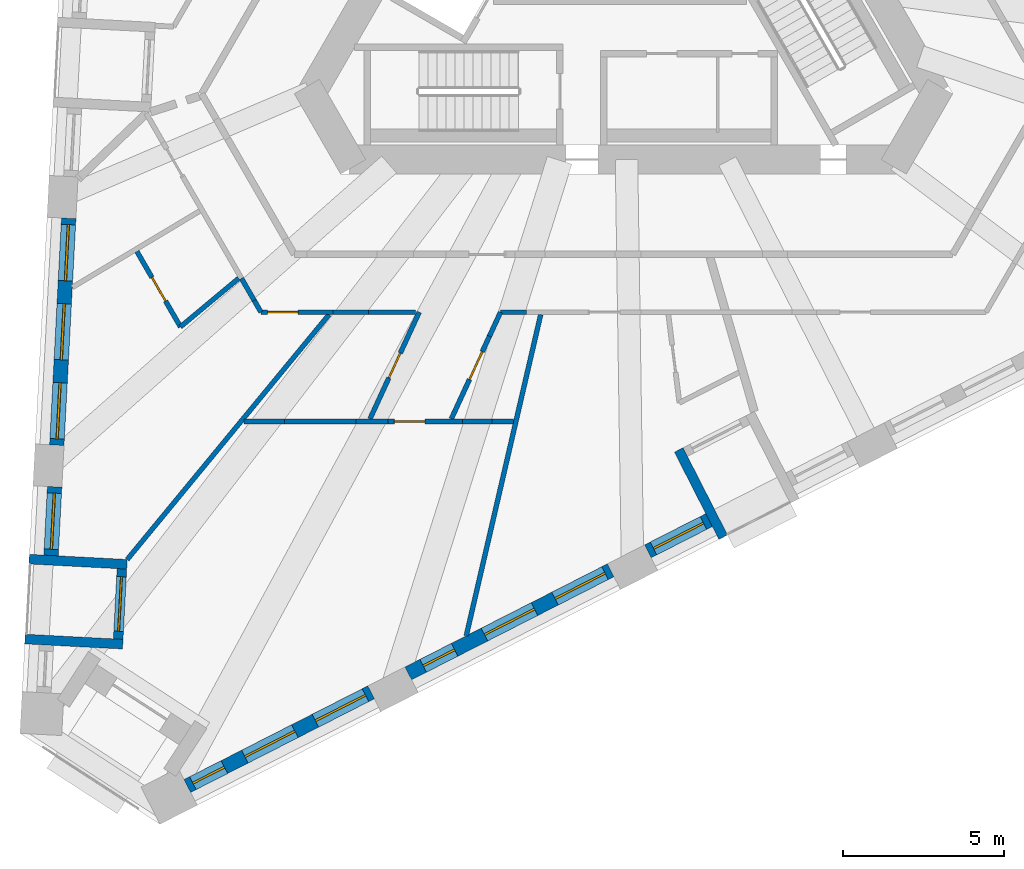
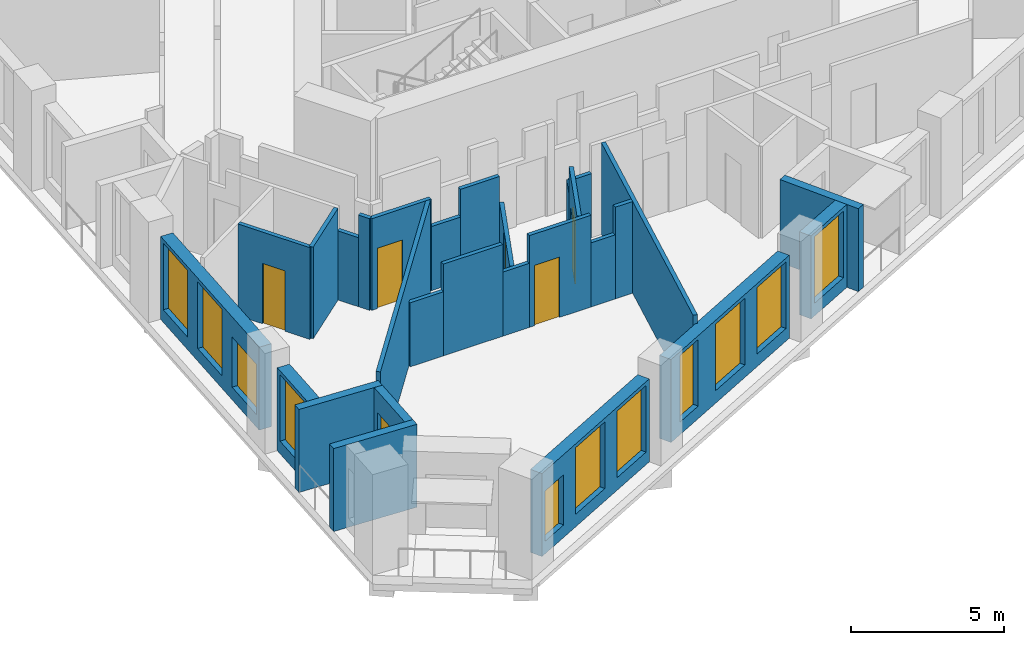
# One storey, part 2 of 13: 28 walls, 11 windows, 6 doors, 17 openings.
"""IFC4 building model written with IfcOpenShell, lengths in metres."""

from ifc_helpers import new_model, si_unit, direction, frame, frame_2d, origin, place, context, subcontext, project, spatial, rectangle, extrude, material, layer, layer_set, type_object, element, fill, save


model = new_model("IFC4")

# Units and contexts
model_context = context("Model", 3, precision=1e-05, world=origin(), true_north=direction((0.0, 1.0)))
body_context = subcontext(model_context, "Body", "Model", "MODEL_VIEW")
ifc_project = project(units=[si_unit("LENGTHUNIT", "METRE"), si_unit("AREAUNIT", "SQUARE_METRE"), si_unit("VOLUMEUNIT", "CUBIC_METRE"), si_unit("PLANEANGLEUNIT", "RADIAN"), si_unit("MASSUNIT", "GRAM", prefix="KILO")], contexts=[model_context])

# Site, building, storey
site_placement = place(None, origin())
site = spatial("IfcSite", under=ifc_project, at=site_placement, CompositionType="ELEMENT")
building_placement = place(site_placement, origin())
building = spatial("IfcBuilding", under=site, at=building_placement, Name="Tramontana Tower", CompositionType="ELEMENT")
storey_placement = place(building_placement, frame((0.0, 0.0, 141.60009765625)))
storey = spatial("IfcBuildingStorey", under=building, at=storey_placement, Name="L32", CompositionType="ELEMENT", Elevation=141.60009765625)

# Wall, openings, windows
ifc_material_1 = material(Name="Precast concrete 60 MPa", Category="concrete")
ifc_layer_1 = layer(ifc_material_1, 0.449951171875)
ifc_layer_set_1 = layer_set([ifc_layer_1], Name="Precast concrete 60 MPa, 450 mm")
wall_type_1 = type_object("IfcWallType", Name="EW1 Stone-faced precast wall 450", PredefinedType="SOLIDWALL", material=ifc_layer_set_1)
wall_1_placement = place(storey_placement, frame((-17.274169921875, -8.128662109375, 0.0), z_axis=(0.0, 0.0, 1.0), x_axis=(-0.052339570873, -0.998629345313, 0.0)))
wall_1 = element("IfcWall", 1, at=wall_1_placement, inside=storey, type_object=wall_type_1, Name="External wall L32 face 0 bay 5", PredefinedType="SOLIDWALL", context=body_context, shape_type="SweptSolid", body=[
    extrude(rectangle(XDim=7.071533203125, YDim=0.449951171875, at=frame_2d((3.53564453125, 0.0))), origin(), (0.0, 0.0, 1.0), 3.2998046875),
])
opening_1_placement = place(wall_1_placement, frame((0.1953125, 0.0, 0.5)))
opening_1 = element("IfcOpeningElement", 2, at=opening_1_placement, cuts=wall_1, Name="Opening M2", PredefinedType="OPENING", context=body_context, shape_type="SweptSolid", body=[
    extrude(rectangle(XDim=1.75, YDim=2.64990234375, at=frame_2d((0.875, 1.324951171875))), frame((0.0, 0.23486328125, 0.0), z_axis=(0.0, -1.0, 0.0), x_axis=(1.0, 0.0, 0.0)), (0.0, 0.0, 1.0), 0.469970703125),
])
opening_2_placement = place(wall_1_placement, frame((2.660888671875, 0.0, 0.5)))
opening_2 = element("IfcOpeningElement", 3, at=opening_2_placement, cuts=wall_1, Name="Opening M2", PredefinedType="OPENING", context=body_context, shape_type="SweptSolid", body=[
    extrude(rectangle(XDim=1.75, YDim=2.64990234375, at=frame_2d((0.875, 1.324951171875))), frame((0.0, 0.23486328125, 0.0), z_axis=(0.0, -1.0, 0.0), x_axis=(1.0, 0.0, 0.0)), (0.0, 0.0, 1.0), 0.469970703125),
])
opening_3_placement = place(wall_1_placement, frame((5.126220703125, 0.0, 0.5)))
opening_3 = element("IfcOpeningElement", 4, at=opening_3_placement, cuts=wall_1, Name="Opening M2L", PredefinedType="OPENING", context=body_context, shape_type="SweptSolid", body=[
    extrude(rectangle(XDim=1.75, YDim=2.0, at=frame_2d((0.875, 1.0))), frame((0.0, 0.23486328125, 0.0), z_axis=(0.0, -1.0, 0.0), x_axis=(1.0, 0.0, 0.0)), (0.0, 0.0, 1.0), 0.469970703125),
])
ifc_material_2 = material(Name="Aluminum frame, double glazing unit", Category="aluminium")
window_type_1 = type_object("IfcWindowType", Name="M2 Window 1.75 x 2.65", PartitioningType="SINGLE_PANEL", PredefinedType="WINDOW", material=ifc_material_2)
window_1_placement = place(opening_1_placement, origin())
window_1 = element("IfcWindow", 5, at=window_1_placement, inside=storey, type_object=window_type_1, Name="Window M2 L32 face 0 module 13", OverallHeight=2.64990234375, OverallWidth=1.75, PartitioningType="SINGLE_PANEL", PredefinedType="WINDOW", context=body_context, shape_type="SweptSolid", body=[
    extrude(rectangle(XDim=1.75, YDim=2.64990234375, at=frame_2d((0.875, 1.324951171875))), frame((0.0, 0.030029296875, 0.0), z_axis=(0.0, -1.0, 0.0), x_axis=(1.0, 0.0, 0.0)), (0.0, 0.0, 1.0), 0.06005859375),
])
fill(opening_1, window_1)
window_2_placement = place(opening_2_placement, origin())
window_2 = element("IfcWindow", 6, at=window_2_placement, inside=storey, type_object=window_type_1, Name="Window M2 L32 face 0 module 14", OverallHeight=2.64990234375, OverallWidth=1.75, PartitioningType="SINGLE_PANEL", PredefinedType="WINDOW", context=body_context, shape_type="SweptSolid", body=[
    extrude(rectangle(XDim=1.75, YDim=2.64990234375, at=frame_2d((0.875, 1.324951171875))), frame((0.0, 0.030029296875, 0.0), z_axis=(0.0, -1.0, 0.0), x_axis=(1.0, 0.0, 0.0)), (0.0, 0.0, 1.0), 0.06005859375),
])
fill(opening_2, window_2)
ifc_material_3 = material(Name="Aluminum frame, double glazing unit", Category="aluminium")
window_type_2 = type_object("IfcWindowType", Name="M2L Window 1.75 x 2", PartitioningType="SINGLE_PANEL", PredefinedType="WINDOW", material=ifc_material_3)
window_3_placement = place(opening_3_placement, origin())
window_3 = element("IfcWindow", 7, at=window_3_placement, inside=storey, type_object=window_type_2, Name="Window M2L L32 face 0 module 15", OverallHeight=2.0, OverallWidth=1.75, PartitioningType="SINGLE_PANEL", PredefinedType="WINDOW", context=body_context, shape_type="SweptSolid", body=[
    extrude(rectangle(XDim=1.75, YDim=2.0, at=frame_2d((0.875, 1.0))), frame((0.0, 0.030029296875, 0.0), z_axis=(0.0, -1.0, 0.0), x_axis=(1.0, 0.0, 0.0)), (0.0, 0.0, 1.0), 0.06005859375),
])
fill(opening_3, window_3)

# Wall, opening, window
wall_2_placement = place(storey_placement, frame((-17.712158203125, -16.48876953125, 0.0), z_axis=(0.0, 0.0, 1.0), x_axis=(-0.05234931875, -0.998628834366, 0.0)))
wall_2 = element("IfcWall", 8, at=wall_2_placement, inside=storey, type_object=wall_type_1, Name="External wall L32 face 0 bay 6", PredefinedType="SOLIDWALL", context=body_context, shape_type="SweptSolid", body=[
    extrude(rectangle(XDim=2.140625, YDim=0.449951171875, at=frame_2d((1.0703125, 0.0))), origin(), (0.0, 0.0, 1.0), 3.2998046875),
])
opening_4_placement = place(wall_2_placement, frame((0.1953125, 0.0, 0.5)))
opening_4 = element("IfcOpeningElement", 9, at=opening_4_placement, cuts=wall_2, Name="Opening M2", PredefinedType="OPENING", context=body_context, shape_type="SweptSolid", body=[
    extrude(rectangle(XDim=1.75, YDim=2.64990234375, at=frame_2d((0.875, 1.324951171875))), frame((0.0, 0.23486328125, 0.0), z_axis=(0.0, -1.0, 0.0), x_axis=(1.0, 0.0, 0.0)), (0.0, 0.0, 1.0), 0.469970703125),
])
window_4_placement = place(opening_4_placement, origin())
window_4 = element("IfcWindow", 10, at=window_4_placement, inside=storey, type_object=window_type_1, Name="Window M2 L32 face 0 module 16", OverallHeight=2.64990234375, OverallWidth=1.75, PartitioningType="SINGLE_PANEL", PredefinedType="WINDOW", context=body_context, shape_type="SweptSolid", body=[
    extrude(rectangle(XDim=1.75, YDim=2.64990234375, at=frame_2d((0.875, 1.324951171875))), frame((0.0, 0.030029296875, 0.0), z_axis=(0.0, -1.0, 0.0), x_axis=(1.0, 0.0, 0.0)), (0.0, 0.0, 1.0), 0.06005859375),
])
fill(opening_4, window_4)

# Wall, openings, windows
wall_3_placement = place(storey_placement, frame((-13.580810546875, -25.802734375, 0.0), z_axis=(0.0, 0.0, 1.0), x_axis=(0.891010191031, 0.453983303085, 0.0)))
wall_3 = element("IfcWall", 11, at=wall_3_placement, inside=storey, type_object=wall_type_1, Name="External wall L32 face 1 bay 1", PredefinedType="SOLIDWALL", context=body_context, shape_type="SweptSolid", body=[
    extrude(rectangle(XDim=6.421630859375, YDim=0.449951171875, at=frame_2d((3.2109375, 0.0))), origin(), (0.0, 0.0, 1.0), 3.2998046875),
])
opening_5_placement = place(wall_3_placement, frame((0.1953125, 0.0, 0.5)))
opening_5 = element("IfcOpeningElement", 12, at=opening_5_placement, cuts=wall_3, Name="Opening N2L", PredefinedType="OPENING", context=body_context, shape_type="SweptSolid", body=[
    extrude(rectangle(XDim=1.10009765625, YDim=2.0, at=frame_2d((0.550048828125, 1.0))), frame((0.0, 0.23486328125, 0.0), z_axis=(0.0, -1.0, 0.0), x_axis=(1.0, 0.0, 0.0)), (0.0, 0.0, 1.0), 0.469970703125),
])
opening_6_placement = place(wall_3_placement, frame((2.0107421875, 0.0, 0.5)))
opening_6 = element("IfcOpeningElement", 13, at=opening_6_placement, cuts=wall_3, Name="Opening M2", PredefinedType="OPENING", context=body_context, shape_type="SweptSolid", body=[
    extrude(rectangle(XDim=1.75, YDim=2.64990234375, at=frame_2d((0.875, 1.324951171875))), frame((0.0, 0.23486328125, 0.0), z_axis=(0.0, -1.0, 0.0), x_axis=(1.0, 0.0, 0.0)), (0.0, 0.0, 1.0), 0.469970703125),
])
opening_7_placement = place(wall_3_placement, frame((4.476318359375, 0.0, 0.5)))
opening_7 = element("IfcOpeningElement", 14, at=opening_7_placement, cuts=wall_3, Name="Opening M2", PredefinedType="OPENING", context=body_context, shape_type="SweptSolid", body=[
    extrude(rectangle(XDim=1.75, YDim=2.64990234375, at=frame_2d((0.875, 1.324951171875))), frame((0.0, 0.23486328125, 0.0), z_axis=(0.0, -1.0, 0.0), x_axis=(1.0, 0.0, 0.0)), (0.0, 0.0, 1.0), 0.469970703125),
])
window_5_placement = place(opening_6_placement, origin())
window_5 = element("IfcWindow", 15, at=window_5_placement, inside=storey, type_object=window_type_1, Name="Window M2 L32 face 1 module 2", OverallHeight=2.64990234375, OverallWidth=1.75, PartitioningType="SINGLE_PANEL", PredefinedType="WINDOW", context=body_context, shape_type="SweptSolid", body=[
    extrude(rectangle(XDim=1.75, YDim=2.64990234375, at=frame_2d((0.875, 1.324951171875))), frame((0.0, 0.030029296875, 0.0), z_axis=(0.0, -1.0, 0.0), x_axis=(1.0, 0.0, 0.0)), (0.0, 0.0, 1.0), 0.06005859375),
])
fill(opening_6, window_5)
window_6_placement = place(opening_7_placement, origin())
window_6 = element("IfcWindow", 16, at=window_6_placement, inside=storey, type_object=window_type_1, Name="Window M2 L32 face 1 module 3", OverallHeight=2.64990234375, OverallWidth=1.75, PartitioningType="SINGLE_PANEL", PredefinedType="WINDOW", context=body_context, shape_type="SweptSolid", body=[
    extrude(rectangle(XDim=1.75, YDim=2.64990234375, at=frame_2d((0.875, 1.324951171875))), frame((0.0, 0.030029296875, 0.0), z_axis=(0.0, -1.0, 0.0), x_axis=(1.0, 0.0, 0.0)), (0.0, 0.0, 1.0), 0.06005859375),
])
fill(opening_7, window_6)
ifc_material_4 = material(Name="Aluminum frame, double glazing unit", Category="aluminium")
window_type_3 = type_object("IfcWindowType", Name="N2L Window 1.1 x 2", PartitioningType="SINGLE_PANEL", PredefinedType="WINDOW", material=ifc_material_4)
window_7_placement = place(opening_5_placement, origin())
window_7 = element("IfcWindow", 17, at=window_7_placement, inside=storey, type_object=window_type_3, Name="Window N2L L32 face 1 module 1", OverallHeight=2.0, OverallWidth=1.10009765625, PartitioningType="SINGLE_PANEL", PredefinedType="WINDOW", context=body_context, shape_type="SweptSolid", body=[
    extrude(rectangle(XDim=1.10009765625, YDim=2.0, at=frame_2d((0.550048828125, 1.0))), frame((0.0, 0.030029296875, 0.0), z_axis=(0.0, -1.0, 0.0), x_axis=(1.0, 0.0, 0.0)), (0.0, 0.0, 1.0), 0.06005859375),
])
fill(opening_5, window_7)

wall_4_placement = place(storey_placement, frame((-6.70068359375, -22.29736328125, 0.0), z_axis=(0.0, 0.0, 1.0), x_axis=(0.891004189171, 0.45399508244, 0.0)))
wall_4 = element("IfcWall", 18, at=wall_4_placement, inside=storey, type_object=wall_type_1, Name="External wall L32 face 1 bay 2", PredefinedType="SOLIDWALL", context=body_context, shape_type="SweptSolid", body=[
    extrude(rectangle(XDim=7.071533203125, YDim=0.449951171875, at=frame_2d((3.53564453125, 0.0))), origin(), (0.0, 0.0, 1.0), 3.2998046875),
])
opening_8_placement = place(wall_4_placement, frame((0.520263671875, 0.0, 0.5)))
opening_8 = element("IfcOpeningElement", 19, at=opening_8_placement, cuts=wall_4, Name="Opening N2", PredefinedType="OPENING", context=body_context, shape_type="SweptSolid", body=[
    extrude(rectangle(XDim=1.10009765625, YDim=2.64990234375, at=frame_2d((0.550048828125, 1.324951171875))), frame((0.0, 0.23486328125, 0.0), z_axis=(0.0, -1.0, 0.0), x_axis=(1.0, 0.0, 0.0)), (0.0, 0.0, 1.0), 0.469970703125),
])
opening_9_placement = place(wall_4_placement, frame((2.660888671875, 0.0, 0.5)))
opening_9 = element("IfcOpeningElement", 20, at=opening_9_placement, cuts=wall_4, Name="Opening M2", PredefinedType="OPENING", context=body_context, shape_type="SweptSolid", body=[
    extrude(rectangle(XDim=1.75, YDim=2.64990234375, at=frame_2d((0.875, 1.324951171875))), frame((0.0, 0.23486328125, 0.0), z_axis=(0.0, -1.0, 0.0), x_axis=(1.0, 0.0, 0.0)), (0.0, 0.0, 1.0), 0.469970703125),
])
opening_10_placement = place(wall_4_placement, frame((5.126220703125, 0.0, 0.5)))
opening_10 = element("IfcOpeningElement", 21, at=opening_10_placement, cuts=wall_4, Name="Opening M2", PredefinedType="OPENING", context=body_context, shape_type="SweptSolid", body=[
    extrude(rectangle(XDim=1.75, YDim=2.64990234375, at=frame_2d((0.875, 1.324951171875))), frame((0.0, 0.23486328125, 0.0), z_axis=(0.0, -1.0, 0.0), x_axis=(1.0, 0.0, 0.0)), (0.0, 0.0, 1.0), 0.469970703125),
])
window_8_placement = place(opening_9_placement, origin())
window_8 = element("IfcWindow", 22, at=window_8_placement, inside=storey, type_object=window_type_1, Name="Window M2 L32 face 1 module 5", OverallHeight=2.64990234375, OverallWidth=1.75, PartitioningType="SINGLE_PANEL", PredefinedType="WINDOW", context=body_context, shape_type="SweptSolid", body=[
    extrude(rectangle(XDim=1.75, YDim=2.64990234375, at=frame_2d((0.875, 1.324951171875))), frame((0.0, 0.030029296875, 0.0), z_axis=(0.0, -1.0, 0.0), x_axis=(1.0, 0.0, 0.0)), (0.0, 0.0, 1.0), 0.06005859375),
])
fill(opening_9, window_8)
window_9_placement = place(opening_10_placement, origin())
window_9 = element("IfcWindow", 23, at=window_9_placement, inside=storey, type_object=window_type_1, Name="Window M2 L32 face 1 module 6", OverallHeight=2.64990234375, OverallWidth=1.75, PartitioningType="SINGLE_PANEL", PredefinedType="WINDOW", context=body_context, shape_type="SweptSolid", body=[
    extrude(rectangle(XDim=1.75, YDim=2.64990234375, at=frame_2d((0.875, 1.324951171875))), frame((0.0, 0.030029296875, 0.0), z_axis=(0.0, -1.0, 0.0), x_axis=(1.0, 0.0, 0.0)), (0.0, 0.0, 1.0), 0.06005859375),
])
fill(opening_10, window_9)
ifc_material_5 = material(Name="Aluminum frame, double glazing unit", Category="aluminium")
window_type_4 = type_object("IfcWindowType", Name="N2 Window 1.1 x 2.65", PartitioningType="SINGLE_PANEL", PredefinedType="WINDOW", material=ifc_material_5)
window_10_placement = place(opening_8_placement, origin())
window_10 = element("IfcWindow", 24, at=window_10_placement, inside=storey, type_object=window_type_4, Name="Window N2 L32 face 1 module 4", OverallHeight=2.64990234375, OverallWidth=1.10009765625, PartitioningType="SINGLE_PANEL", PredefinedType="WINDOW", context=body_context, shape_type="SweptSolid", body=[
    extrude(rectangle(XDim=1.10009765625, YDim=2.64990234375, at=frame_2d((0.550048828125, 1.324951171875))), frame((0.0, 0.030029296875, 0.0), z_axis=(0.0, -1.0, 0.0), x_axis=(1.0, 0.0, 0.0)), (0.0, 0.0, 1.0), 0.06005859375),
])
fill(opening_8, window_10)

# Wall, opening, window
wall_5_placement = place(storey_placement, frame((0.75830078125, -18.496826171875, 0.0), z_axis=(0.0, 0.0, 1.0), x_axis=(0.890979432498, 0.454043666254, 0.0)))
wall_5 = element("IfcWall", 25, at=wall_5_placement, inside=storey, type_object=wall_type_1, Name="External wall L32 face 1 bay 3", PredefinedType="SOLIDWALL", context=body_context, shape_type="SweptSolid", body=[
    extrude(rectangle(XDim=2.140625, YDim=0.449951171875, at=frame_2d((1.0703125, 0.0))), origin(), (0.0, 0.0, 1.0), 3.2998046875),
])
opening_11_placement = place(wall_5_placement, frame((0.1953125, 0.0, 0.5)))
opening_11 = element("IfcOpeningElement", 26, at=opening_11_placement, cuts=wall_5, Name="Opening M2", PredefinedType="OPENING", context=body_context, shape_type="SweptSolid", body=[
    extrude(rectangle(XDim=1.75, YDim=2.64990234375, at=frame_2d((0.875, 1.324951171875))), frame((0.0, 0.23486328125, 0.0), z_axis=(0.0, -1.0, 0.0), x_axis=(1.0, 0.0, 0.0)), (0.0, 0.0, 1.0), 0.469970703125),
])
window_11_placement = place(opening_11_placement, origin())
window_11 = element("IfcWindow", 27, at=window_11_placement, inside=storey, type_object=window_type_1, Name="Window M2 L32 face 1 module 7", OverallHeight=2.64990234375, OverallWidth=1.75, PartitioningType="SINGLE_PANEL", PredefinedType="WINDOW", context=body_context, shape_type="SweptSolid", body=[
    extrude(rectangle(XDim=1.75, YDim=2.64990234375, at=frame_2d((0.875, 1.324951171875))), frame((0.0, 0.030029296875, 0.0), z_axis=(0.0, -1.0, 0.0), x_axis=(1.0, 0.0, 0.0)), (0.0, 0.0, 1.0), 0.06005859375),
])
fill(opening_11, window_11)

# Wall, opening, door
ifc_material_6 = material(Name="Precast concrete 60 MPa", Category="concrete")
ifc_layer_2 = layer(ifc_material_6, 0.300048828125)
ifc_layer_set_2 = layer_set([ifc_layer_2], Name="LW1 Stone-faced loggia wall 300")
wall_type_2 = type_object("IfcWallType", Name="LW1 Stone-faced loggia wall 300", PredefinedType="SOLIDWALL", material=ifc_layer_set_2)
wall_6_placement = place(storey_placement, frame((-15.617919921875, -19.04248046875, 0.0), z_axis=(0.0, 0.0, 1.0), x_axis=(-0.052383338583, -0.998627050424, 0.0)))
wall_6 = element("IfcWall", 28, at=wall_6_placement, inside=storey, type_object=wall_type_2, Name="Loggia wall L32 G3S0.16", PredefinedType="SOLIDWALL", context=body_context, shape_type="SweptSolid", body=[
    extrude(rectangle(XDim=2.1904296875, YDim=0.300048828125, at=frame_2d((1.09521484375, 0.0))), origin(), (0.0, 0.0, 1.0), 3.2998046875),
])
opening_12_placement = place(wall_6_placement, frame((0.245361328125, 0.0, 0.0)))
opening_12 = element("IfcOpeningElement", 29, at=opening_12_placement, cuts=wall_6, Name="Opening BD-3S0-16", PredefinedType="OPENING", context=body_context, shape_type="SweptSolid", body=[
    extrude(rectangle(XDim=1.699951171875, YDim=2.449951171875, at=frame_2d((0.85009765625, 1.22509765625))), frame((0.0, 0.159912109375, 0.0), z_axis=(0.0, -1.0, 0.0), x_axis=(1.0, 0.0, 0.0)), (0.0, 0.0, 1.0), 0.320068359375),
])
ifc_material_7 = material(Name="Aluminum frame, double glazing unit", Category="aluminium")
door_type_1 = type_object("IfcDoorType", Name="BD2 Sliding door 1.7 x 2.45", OperationType="SLIDING_TO_LEFT", PredefinedType="DOOR", material=ifc_material_7)
door_1_placement = place(opening_12_placement, origin())
door_1 = element("IfcDoor", 30, at=door_1_placement, inside=storey, type_object=door_type_1, Name="Loggia door L32 G3S0.16", OperationType="SLIDING_TO_LEFT", OverallHeight=2.449951171875, OverallWidth=1.699951171875, PredefinedType="DOOR", context=body_context, shape_type="SweptSolid", body=[
    extrude(rectangle(XDim=1.699951171875, YDim=2.449951171875, at=frame_2d((0.85009765625, 1.22509765625))), frame((0.0, 0.02490234375, 0.0), z_axis=(0.0, -1.0, 0.0), x_axis=(1.0, 0.0, 0.0)), (0.0, 0.0, 1.0), 0.050048828125),
])
fill(opening_12, door_1)

# Walls
for number, where, z_axis, x_axis, name in (
    (31, (-18.506103515625, -18.74072265625, 0.0), (0.0, 0.0, 1.0), (0.998628643661, -0.052352956549, 0.0), "Loggia return L32 G3S0.16a"),
    (32, (-18.636474609375, -21.22802734375, 0.0), (0.0, 0.0, 1.0), (0.998632825615, -0.05227312506, 0.0), "Loggia return L32 G3S0.16b"),
):
    element("IfcWall", number, at=place(storey_placement, frame(where, z_axis=z_axis, x_axis=x_axis)), inside=storey, type_object=wall_type_2, Name=name, PredefinedType="SOLIDWALL", context=body_context, shape_type="SweptSolid", body=[
        extrude(rectangle(XDim=3.0498046875, YDim=0.300048828125, at=frame_2d((1.52490234375, 0.0))), origin(), (0.0, 0.0, 1.0), 3.2998046875),
    ])
wall_7_placement = place(storey_placement, frame((3.105712890625, -18.058349609375, 0.0), z_axis=(0.0, 0.0, 1.0), x_axis=(-0.453988129332, 0.891007731968, 0.0)))
element("IfcWall", 33, at=wall_7_placement, inside=storey, type_object=wall_type_2, Name="Loggia return L32 G3S1.7a", PredefinedType="SOLIDWALL", context=body_context, shape_type="SweptSolid", body=[
    extrude(rectangle(XDim=3.05029296875, YDim=0.300048828125, at=frame_2d((1.525146484375, 0.0))), origin(), (0.0, 0.0, 1.0), 3.2998046875),
])
ifc_material_8 = material(Name="Gypsum board partition")
ifc_layer_3 = layer(ifc_material_8, 0.14990234375)
ifc_layer_set_3 = layer_set([ifc_layer_3], Name="PARTITION 150")
wall_type_3 = type_object("IfcWallType", Name="PARTITION 150", PredefinedType="PARTITIONING", material=ifc_layer_set_3)
wall_8_placement = place(storey_placement, frame((-15.452392578125, -18.750732421875, 0.0), z_axis=(0.0, 0.0, 1.0), x_axis=(0.63595836467, 0.771723369094, 0.0)))
element("IfcWall", 34, at=wall_8_placement, inside=storey, type_object=wall_type_3, Name="Wall v31-pw01", PredefinedType="PARTITIONING", context=body_context, shape_type="SweptSolid", body=[
    extrude(rectangle(XDim=9.88134765625, YDim=0.14990234375, at=frame_2d((4.940673828125, 0.0))), origin(), (0.0, 0.0, 1.0), 3.64990234375),
])

# Wall, opening, door
wall_9_placement = place(storey_placement, frame((-15.1494140625, -9.160400390625, 0.0), z_axis=(0.0, 0.0, 1.0), x_axis=(0.499995396135, -0.866028061811, 0.0)))
wall_9 = element("IfcWall", 35, at=wall_9_placement, inside=storey, type_object=wall_type_3, Name="Wall v31-pw06", PredefinedType="PARTITIONING", context=body_context, shape_type="SweptSolid", body=[
    extrude(rectangle(XDim=2.7099609375, YDim=0.14990234375, at=frame_2d((1.35498046875, 0.0))), origin(), (0.0, 0.0, 1.0), 3.64990234375),
])
opening_13_placement = place(wall_9_placement, frame((0.929931640625, 0.0, 0.0)))
opening_13 = element("IfcOpeningElement", 36, at=opening_13_placement, cuts=wall_9, Name="Opening B3B-15", PredefinedType="OPENING", context=body_context, shape_type="SweptSolid", body=[
    extrude(rectangle(XDim=0.85009765625, YDim=2.39990234375, at=frame_2d((0.425048828125, 1.199951171875))), frame((0.0, 0.0849609375, 0.0), z_axis=(0.0, -1.0, 0.0), x_axis=(1.0, 0.0, 0.0)), (0.0, 0.0, 1.0), 0.169921875),
])
ifc_material_9 = material(Name="Painted timber", Category="wood")
door_type_2 = type_object("IfcDoorType", Name="DOOR BATH 850", OperationType="SINGLE_SWING_LEFT", PredefinedType="DOOR", material=ifc_material_9)
door_2_placement = place(opening_13_placement, origin())
door_2 = element("IfcDoor", 37, at=door_2_placement, inside=storey, type_object=door_type_2, Name="Door B3B-15", OperationType="SINGLE_SWING_LEFT", OverallHeight=2.39990234375, OverallWidth=0.85009765625, PredefinedType="DOOR", context=body_context, shape_type="SweptSolid", body=[
    extrude(rectangle(XDim=0.85009765625, YDim=2.39990234375, at=frame_2d((0.425048828125, 1.199951171875))), frame((0.0, 0.02490234375, 0.0), z_axis=(0.0, -1.0, 0.0), x_axis=(1.0, 0.0, 0.0)), (0.0, 0.0, 1.0), 0.050048828125),
])
fill(opening_13, door_2)

# Walls
wall_10_placement = place(storey_placement, frame((-11.982421875, -9.995849609375, 0.0), z_axis=(0.0, 0.0, 1.0), x_axis=(-0.767915886213, -0.640550694091, 0.0)))
element("IfcWall", 38, at=wall_10_placement, inside=storey, type_object=wall_type_3, Name="Wall v31-pw09", PredefinedType="PARTITIONING", context=body_context, shape_type="SweptSolid", body=[
    extrude(rectangle(XDim=2.359619140625, YDim=0.14990234375, at=frame_2d((1.1796875, 0.0))), origin(), (0.0, 0.0, 1.0), 3.64990234375),
])
wall_11_placement = place(storey_placement, frame((-11.287109375, -11.050048828125, 0.0), z_axis=(0.0, 0.0, 1.0), x_axis=(-0.499922110319, 0.866070368743, 0.0)))
element("IfcWall", 39, at=wall_11_placement, inside=storey, type_object=wall_type_3, Name="Wall v31-pw11-0", PredefinedType="PARTITIONING", context=body_context, shape_type="SweptSolid", body=[
    extrude(rectangle(XDim=0.42333984375, YDim=0.14990234375, at=frame_2d((0.211669921875, 0.0))), origin(), (0.0, 0.0, 1.0), 3.64990234375),
])
wall_12_placement = place(storey_placement, frame((-11.498779296875, -10.683349609375, 0.0), z_axis=(0.0, 0.0, 1.0), x_axis=(-0.50012328804, 0.865954211699, 0.0)))
element("IfcWall", 40, at=wall_12_placement, inside=storey, type_object=wall_type_3, Name="Wall v31-pw11-1", PredefinedType="PARTITIONING", context=body_context, shape_type="SweptSolid", body=[
    extrude(rectangle(XDim=0.790771484375, YDim=0.14990234375, at=frame_2d((0.3955078125, 0.0))), origin(), (0.0, 0.0, 1.0), 2.75),
])

# Wall, opening, door
wall_13_placement = place(storey_placement, frame((-7.89501953125, -14.375, 0.0), z_axis=(0.0, 0.0, 1.0), x_axis=(0.418745248329, 0.908103747929, 0.0)))
wall_13 = element("IfcWall", 41, at=wall_13_placement, inside=storey, type_object=wall_type_3, Name="Wall v31-pw16-0", PredefinedType="PARTITIONING", context=body_context, shape_type="SweptSolid", body=[
    extrude(rectangle(XDim=3.661376953125, YDim=0.14990234375, at=frame_2d((1.83056640625, 0.0))), origin(), (0.0, 0.0, 1.0), 2.5498046875),
])
opening_14_placement = place(wall_13_placement, frame((1.40576171875, 0.0, 0.0)))
opening_14 = element("IfcOpeningElement", 42, at=opening_14_placement, cuts=wall_13, Name="Opening B3B-10", PredefinedType="OPENING", context=body_context, shape_type="SweptSolid", body=[
    extrude(rectangle(XDim=0.85009765625, YDim=2.39990234375, at=frame_2d((0.425048828125, 1.199951171875))), frame((0.0, 0.0849609375, 0.0), z_axis=(0.0, -1.0, 0.0), x_axis=(1.0, 0.0, 0.0)), (0.0, 0.0, 1.0), 0.169921875),
])
door_3_placement = place(opening_14_placement, origin())
door_3 = element("IfcDoor", 43, at=door_3_placement, inside=storey, type_object=door_type_2, Name="Door B3B-10", OperationType="SINGLE_SWING_RIGHT", OverallHeight=2.39990234375, OverallWidth=0.85009765625, PredefinedType="DOOR", context=body_context, shape_type="SweptSolid", body=[
    extrude(rectangle(XDim=0.85009765625, YDim=2.39990234375, at=frame_2d((0.425048828125, 1.199951171875))), frame((0.0, 0.02490234375, 0.0), z_axis=(0.0, -1.0, 0.0), x_axis=(1.0, 0.0, 0.0)), (0.0, 0.0, 1.0), 0.050048828125),
])
fill(opening_14, door_3)

# Walls
wall_14_placement = place(storey_placement, frame((-6.48291015625, -11.050048828125, 0.0), z_axis=(0.0, 0.0, 1.0), x_axis=(-1.0, 0.0, 0.0)))
element("IfcWall", 44, at=wall_14_placement, inside=storey, type_object=wall_type_3, Name="Wall v31-pw20-1", PredefinedType="PARTITIONING", context=body_context, shape_type="SweptSolid", body=[
    extrude(rectangle(XDim=1.461669921875, YDim=0.14990234375, at=frame_2d((0.73095703125, 0.0))), origin(), (0.0, 0.0, 1.0), 3.64990234375),
])
wall_15_placement = place(storey_placement, frame((-7.944580078125, -11.050048828125, 0.0), z_axis=(0.0, 0.0, 1.0), x_axis=(-1.0, 0.0, 0.0)))
element("IfcWall", 45, at=wall_15_placement, inside=storey, type_object=wall_type_3, Name="Wall v31-pw20-2", PredefinedType="PARTITIONING", context=body_context, shape_type="SweptSolid", body=[
    extrude(rectangle(XDim=1.103759765625, YDim=0.14990234375, at=frame_2d((0.5517578125, 0.0))), origin(), (0.0, 0.0, 1.0), 2.5498046875),
])

# Wall, opening, door
wall_16_placement = place(storey_placement, frame((-9.04833984375, -11.050048828125, 0.0), z_axis=(0.0, 0.0, 1.0), x_axis=(-1.0, 0.0, 0.0)))
wall_16 = element("IfcWall", 46, at=wall_16_placement, inside=storey, type_object=wall_type_3, Name="Wall v31-pw20-3", PredefinedType="PARTITIONING", context=body_context, shape_type="SweptSolid", body=[
    extrude(rectangle(XDim=2.23876953125, YDim=0.14990234375, at=frame_2d((1.119384765625, 0.0))), origin(), (0.0, 0.0, 1.0), 3.64990234375),
])
opening_15_placement = place(wall_16_placement, frame((1.08349609375, 0.0, 0.0)))
opening_15 = element("IfcOpeningElement", 47, at=opening_15_placement, cuts=wall_16, Name="Opening B3B-12", PredefinedType="OPENING", context=body_context, shape_type="SweptSolid", body=[
    extrude(rectangle(XDim=0.949951171875, YDim=2.39990234375, at=frame_2d((0.47509765625, 1.199951171875))), frame((0.0, 0.0849609375, 0.0), z_axis=(0.0, -1.0, 0.0), x_axis=(1.0, 0.0, 0.0)), (0.0, 0.0, 1.0), 0.169921875),
])
ifc_material_10 = material(Name="Painted timber", Category="wood")
door_type_3 = type_object("IfcDoorType", Name="DOOR ROOM 950", OperationType="SINGLE_SWING_LEFT", PredefinedType="DOOR", material=ifc_material_10)
door_4_placement = place(opening_15_placement, origin())
door_4 = element("IfcDoor", 48, at=door_4_placement, inside=storey, type_object=door_type_3, Name="Door B3B-12", OperationType="SINGLE_SWING_RIGHT", OverallHeight=2.39990234375, OverallWidth=0.949951171875, PredefinedType="DOOR", context=body_context, shape_type="SweptSolid", body=[
    extrude(rectangle(XDim=0.949951171875, YDim=2.39990234375, at=frame_2d((0.47509765625, 1.199951171875))), frame((0.0, 0.02490234375, 0.0), z_axis=(0.0, -1.0, 0.0), x_axis=(1.0, 0.0, 0.0)), (0.0, 0.0, 1.0), 0.050048828125),
])
fill(opening_15, door_4)

# Wall
wall_17_placement = place(storey_placement, frame((-3.8291015625, -11.050048828125, 0.0), z_axis=(0.0, 0.0, 1.0), x_axis=(-0.418663560872, -0.908141411234, 0.0)))
element("IfcWall", 49, at=wall_17_placement, inside=storey, type_object=wall_type_3, Name="Wall v31-pw23-0", PredefinedType="PARTITIONING", context=body_context, shape_type="SweptSolid", body=[
    extrude(rectangle(XDim=0.823974609375, YDim=0.14990234375, at=frame_2d((0.412109375, 0.0))), origin(), (0.0, 0.0, 1.0), 2.5498046875),
])

# Wall, opening, door
wall_18_placement = place(storey_placement, frame((-4.174072265625, -11.79833984375, 0.0), z_axis=(0.0, 0.0, 1.0), x_axis=(-0.418768969378, -0.908092809291, 0.0)))
wall_18 = element("IfcWall", 50, at=wall_18_placement, inside=storey, type_object=wall_type_3, Name="Wall v31-pw23-1", PredefinedType="PARTITIONING", context=body_context, shape_type="SweptSolid", body=[
    extrude(rectangle(XDim=2.83740234375, YDim=0.14990234375, at=frame_2d((1.418701171875, 0.0))), origin(), (0.0, 0.0, 1.0), 3.64990234375),
])
opening_16_placement = place(wall_18_placement, frame((0.53173828125, 0.0, 0.0)))
opening_16 = element("IfcOpeningElement", 51, at=opening_16_placement, cuts=wall_18, Name="Opening B3B-09", PredefinedType="OPENING", context=body_context, shape_type="SweptSolid", body=[
    extrude(rectangle(XDim=0.949951171875, YDim=2.39990234375, at=frame_2d((0.47509765625, 1.199951171875))), frame((0.0, 0.0849609375, 0.0), z_axis=(0.0, -1.0, 0.0), x_axis=(1.0, 0.0, 0.0)), (0.0, 0.0, 1.0), 0.169921875),
])
door_5_placement = place(opening_16_placement, origin())
door_5 = element("IfcDoor", 52, at=door_5_placement, inside=storey, type_object=door_type_3, Name="Door B3B-09", OperationType="SINGLE_SWING_LEFT", OverallHeight=2.39990234375, OverallWidth=0.949951171875, PredefinedType="DOOR", context=body_context, shape_type="SweptSolid", body=[
    extrude(rectangle(XDim=0.949951171875, YDim=2.39990234375, at=frame_2d((0.47509765625, 1.199951171875))), frame((0.0, 0.02490234375, 0.0), z_axis=(0.0, -1.0, 0.0), x_axis=(1.0, 0.0, 0.0)), (0.0, 0.0, 1.0), 0.050048828125),
])
fill(opening_16, door_5)

# Walls
wall_19_placement = place(storey_placement, frame((-3.42578125, -14.449951171875, 0.0), z_axis=(0.0, 0.0, 1.0), x_axis=(-1.0, 0.0, 0.0)))
element("IfcWall", 53, at=wall_19_placement, inside=storey, type_object=wall_type_3, Name="Wall v31-pw24-0", PredefinedType="PARTITIONING", context=body_context, shape_type="SweptSolid", body=[
    extrude(rectangle(XDim=0.666015625, YDim=0.14990234375, at=frame_2d((0.3330078125, 0.0))), origin(), (0.0, 0.0, 1.0), 3.64990234375),
])
wall_20_placement = place(storey_placement, frame((-4.091796875, -14.449951171875, 0.0), z_axis=(0.0, 0.0, 1.0), x_axis=(-1.0, 0.0, 0.0)))
element("IfcWall", 54, at=wall_20_placement, inside=storey, type_object=wall_type_3, Name="Wall v31-pw24-1", PredefinedType="PARTITIONING", context=body_context, shape_type="SweptSolid", body=[
    extrude(rectangle(XDim=0.917236328125, YDim=0.14990234375, at=frame_2d((0.45849609375, 0.0))), origin(), (0.0, 0.0, 1.0), 2.5498046875),
])

# Wall, opening, door
wall_21_placement = place(storey_placement, frame((-5.009033203125, -14.449951171875, 0.0), z_axis=(0.0, 0.0, 1.0), x_axis=(-1.0, 0.0, 0.0)))
wall_21 = element("IfcWall", 55, at=wall_21_placement, inside=storey, type_object=wall_type_3, Name="Wall v31-pw24-2", PredefinedType="PARTITIONING", context=body_context, shape_type="SweptSolid", body=[
    extrude(rectangle(XDim=2.320556640625, YDim=0.14990234375, at=frame_2d((1.16015625, 0.0))), origin(), (0.0, 0.0, 1.0), 3.64990234375),
])
opening_17_placement = place(wall_21_placement, frame((1.178466796875, 0.0, 0.0)))
opening_17 = element("IfcOpeningElement", 56, at=opening_17_placement, cuts=wall_21, Name="Opening B3B-11", PredefinedType="OPENING", context=body_context, shape_type="SweptSolid", body=[
    extrude(rectangle(XDim=0.949951171875, YDim=2.39990234375, at=frame_2d((0.47509765625, 1.199951171875))), frame((0.0, 0.0849609375, 0.0), z_axis=(0.0, -1.0, 0.0), x_axis=(1.0, 0.0, 0.0)), (0.0, 0.0, 1.0), 0.169921875),
])
door_6_placement = place(opening_17_placement, origin())
door_6 = element("IfcDoor", 57, at=door_6_placement, inside=storey, type_object=door_type_3, Name="Door B3B-11", OperationType="SINGLE_SWING_LEFT", OverallHeight=2.39990234375, OverallWidth=0.949951171875, PredefinedType="DOOR", context=body_context, shape_type="SweptSolid", body=[
    extrude(rectangle(XDim=0.949951171875, YDim=2.39990234375, at=frame_2d((0.47509765625, 1.199951171875))), frame((0.0, 0.02490234375, 0.0), z_axis=(0.0, -1.0, 0.0), x_axis=(1.0, 0.0, 0.0)), (0.0, 0.0, 1.0), 0.050048828125),
])
fill(opening_17, door_6)

# Walls
wall_22_placement = place(storey_placement, frame((-7.32958984375, -14.449951171875, 0.0), z_axis=(0.0, 0.0, 1.0), x_axis=(-1.0, 0.0, 0.0)))
element("IfcWall", 58, at=wall_22_placement, inside=storey, type_object=wall_type_3, Name="Wall v31-pw24-3", PredefinedType="PARTITIONING", context=body_context, shape_type="SweptSolid", body=[
    extrude(rectangle(XDim=0.9951171875, YDim=0.14990234375, at=frame_2d((0.49755859375, 0.0))), origin(), (0.0, 0.0, 1.0), 2.5498046875),
])
wall_23_placement = place(storey_placement, frame((-8.32470703125, -14.449951171875, 0.0), z_axis=(0.0, 0.0, 1.0), x_axis=(-1.0, 0.0, 0.0)))
element("IfcWall", 59, at=wall_23_placement, inside=storey, type_object=wall_type_3, Name="Wall v31-pw24-4", PredefinedType="PARTITIONING", context=body_context, shape_type="SweptSolid", body=[
    extrude(rectangle(XDim=2.234130859375, YDim=0.14990234375, at=frame_2d((1.1171875, 0.0))), origin(), (0.0, 0.0, 1.0), 3.64990234375),
])
wall_24_placement = place(storey_placement, frame((-10.558837890625, -14.449951171875, 0.0), z_axis=(0.0, 0.0, 1.0), x_axis=(-1.0, 0.0, 0.0)))
element("IfcWall", 60, at=wall_24_placement, inside=storey, type_object=wall_type_3, Name="Wall v31-pw24-5", PredefinedType="PARTITIONING", context=body_context, shape_type="SweptSolid", body=[
    extrude(rectangle(XDim=1.252197265625, YDim=0.14990234375, at=frame_2d((0.6259765625, 0.0))), origin(), (0.0, 0.0, 1.0), 2.5498046875),
])
wall_25_placement = place(storey_placement, frame((-2.578125, -11.125, 0.0), z_axis=(0.0, 0.0, 1.0), x_axis=(-0.225778284411, -0.974178713732, 0.0)))
element("IfcWall", 61, at=wall_25_placement, inside=storey, type_object=wall_type_3, Name="Wall v31-pw25", PredefinedType="PARTITIONING", context=body_context, shape_type="SweptSolid", body=[
    extrude(rectangle(XDim=10.26513671875, YDim=0.14990234375, at=frame_2d((5.132568359375, 0.0))), origin(), (0.0, 0.0, 1.0), 3.64990234375),
])
wall_26_placement = place(storey_placement, frame((-3.02099609375, -11.050048828125, 0.0), z_axis=(0.0, 0.0, 1.0), x_axis=(-1.0, 0.0, 0.0)))
element("IfcWall", 62, at=wall_26_placement, inside=storey, type_object=wall_type_3, Name="Wall v31-pw35-5", PredefinedType="PARTITIONING", context=body_context, shape_type="SweptSolid", body=[
    extrude(rectangle(XDim=0.80810546875, YDim=0.14990234375, at=frame_2d((0.404052734375, 0.0))), origin(), (0.0, 0.0, 1.0), 2.5498046875),
])

save(model, "model.ifc")
